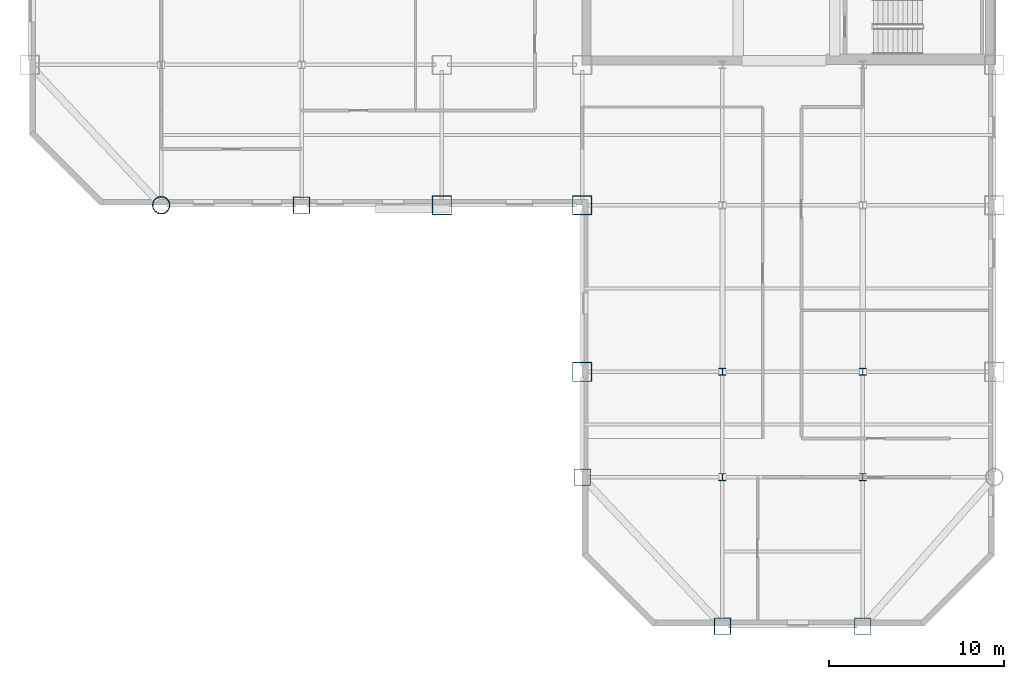
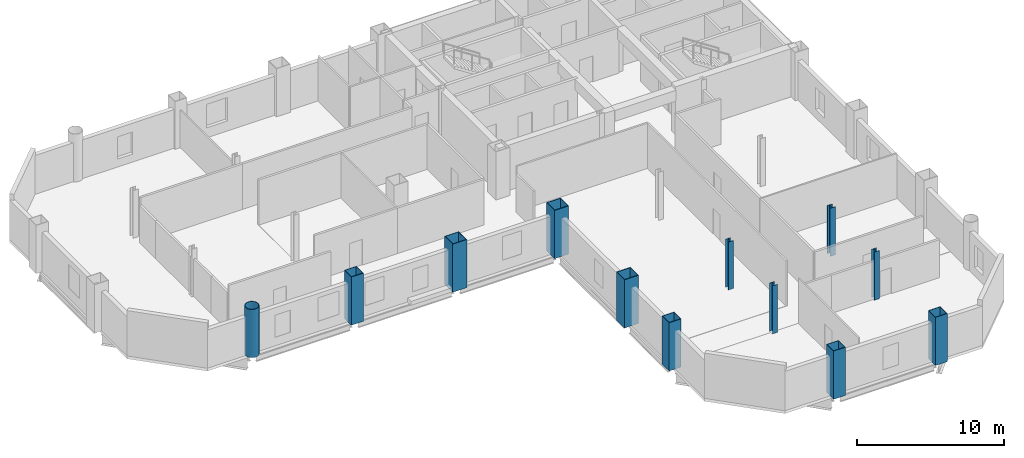
# One storey, part 1 of 9: 12 columns.
"""IFC4 building model written with IfcOpenShell, lengths in metres."""

from ifc_helpers import new_model, si_unit, direction, frame, origin, origin_2d, place, context, subcontext, project, spatial, hollow_rectangle, hollow_circle, i_section, extrude, material, material_profile, profile_set, type_object, element, save


model = new_model("IFC4")

# Units and contexts
model_context = context("Model", 3, precision=1e-05, world=origin(), true_north=direction((0.0, 1.0)))
body_context = subcontext(model_context, "Body", "Model", "MODEL_VIEW")
ifc_project = project(units=[si_unit("LENGTHUNIT", "METRE"), si_unit("AREAUNIT", "SQUARE_METRE"), si_unit("VOLUMEUNIT", "CUBIC_METRE"), si_unit("PLANEANGLEUNIT", "RADIAN"), si_unit("MASSUNIT", "GRAM", prefix="KILO")], contexts=[model_context])

# Site, building, storey
site_placement = place(None, origin())
site = spatial("IfcSite", under=ifc_project, at=site_placement, CompositionType="ELEMENT")
building_placement = place(site_placement, origin())
building = spatial("IfcBuilding", under=site, at=building_placement, Name="Qianrong Seaharbour Tower", CompositionType="ELEMENT")
storey_placement = place(building_placement, frame((0.0, 0.0, 147.0)))
storey = spatial("IfcBuildingStorey", under=building, at=storey_placement, Name="L35", CompositionType="ELEMENT", Elevation=147.0)

# Columns
ifc_material = material(Name="Structural steel SN490B", Category="steel")
ifc_material_profile_1 = material_profile(ifc_material, hollow_rectangle(XDim=1.10009765625, YDim=1.10009765625, WallThickness=0.0400390625, at=origin_2d()), Name="BOX1100x1100x40")
ifc_profile_set_1 = profile_set([ifc_material_profile_1], Name="Structural steel SN490B")
column_type_1 = type_object("IfcColumnType", Name="COL-CFT-1100", PredefinedType="COLUMN", material=ifc_profile_set_1)
for number, where, z_axis, x_axis, name in (
    (1, (32.5, 28.0, 0.0), (0.0, 0.0, 1.0), (1.0, 0.0, 0.0), "L35 Column MC-3 at G5/GE"),
    (2, (40.5, 18.5, 0.0), (0.0, 0.0, 1.0), (1.0, 0.0, 0.0), "L35 Column MC-3 at G6/GD"),
    (3, (40.5, 28.0, 0.0), (0.0, 0.0, 1.0), (1.0, 0.0, 0.0), "L35 Column MC-3 at G6/GE"),
):
    element("IfcColumn", number, at=place(storey_placement, frame(where, z_axis=z_axis, x_axis=x_axis)), inside=storey, type_object=column_type_1, Name=name, PredefinedType="COLUMN", context=body_context, shape_type="SweptSolid", body=[
        extrude(hollow_rectangle(XDim=1.10009765625, YDim=1.10009765625, WallThickness=0.0400390625, at=origin_2d()), origin(), (0.0, 0.0, 1.0), 4.0),
    ])
ifc_material_profile_2 = material_profile(ifc_material, hollow_circle(Radius=0.5, WallThickness=0.035888671875, at=origin_2d()), Name="CHS1000x36")
ifc_profile_set_2 = profile_set([ifc_material_profile_2], Name="Structural steel SN490B")
column_type_2 = type_object("IfcColumnType", Name="COL-CHS-1000", PredefinedType="COLUMN", material=ifc_profile_set_2)
column_placement = place(storey_placement, frame((16.5, 28.0, 0.0), z_axis=(0.0, 0.0, 1.0), x_axis=(1.0, 0.0, 0.0)))
element("IfcColumn", 4, at=column_placement, inside=storey, type_object=column_type_2, Name="L35 Column CC-2 at G3/GE", PredefinedType="COLUMN", context=body_context, shape_type="SweptSolid", body=[
    extrude(hollow_circle(Radius=0.5, WallThickness=0.035888671875, at=origin_2d()), origin(), (0.0, 0.0, 1.0), 4.0),
])
ifc_material_profile_3 = material_profile(ifc_material, i_section(OverallWidth=0.39990234375, OverallDepth=0.39990234375, WebThickness=0.012939453125, FlangeThickness=0.02099609375, FilletRadius=0.02197265625, at=origin_2d()), Name="H400x400x13x21")
ifc_profile_set_3 = profile_set([ifc_material_profile_3], Name="Structural steel SN490B")
column_type_3 = type_object("IfcColumnType", Name="COL-INT-H400", PredefinedType="COLUMN", material=ifc_profile_set_3)
for number, where, z_axis, x_axis, name in (
    (5, (48.5, 12.5, 0.0), (0.0, 0.0, 1.0), (1.0, 0.0, 0.0), "L35 Column IC-3 at G7/GC"),
    (6, (48.5, 18.5, 0.0), (0.0, 0.0, 1.0), (1.0, 0.0, 0.0), "L35 Column IC-3 at G7/GD"),
    (7, (56.5, 12.5, 0.0), (0.0, 0.0, 1.0), (1.0, 0.0, 0.0), "L35 Column IC-3 at G8/GC"),
    (8, (56.5, 18.5, 0.0), (0.0, 0.0, 1.0), (1.0, 0.0, 0.0), "L35 Column IC-3 at G8/GD"),
):
    element("IfcColumn", number, at=place(storey_placement, frame(where, z_axis=z_axis, x_axis=x_axis)), inside=storey, type_object=column_type_3, Name=name, PredefinedType="COLUMN", context=body_context, shape_type="SweptSolid", body=[
        extrude(i_section(OverallWidth=0.39990234375, OverallDepth=0.39990234375, WebThickness=0.012939453125, FlangeThickness=0.02099609375, FilletRadius=0.02197265625, at=origin_2d()), origin(), (0.0, 0.0, 1.0), 4.0),
    ])
ifc_material_profile_4 = material_profile(ifc_material, hollow_rectangle(XDim=0.949951171875, YDim=0.949951171875, WallThickness=0.035888671875, at=origin_2d()), Name="BOX950x950x36")
ifc_profile_set_4 = profile_set([ifc_material_profile_4], Name="Structural steel SN490B")
column_type_4 = type_object("IfcColumnType", Name="COL-PER-950", PredefinedType="COLUMN", material=ifc_profile_set_4)
for number, where, z_axis, x_axis, name in (
    (9, (24.5, 28.0, 0.0), (0.0, 0.0, 1.0), (1.0, 0.0, 0.0), "L35 Column PC-2 at G4/GE"),
    (10, (40.5, 12.5, 0.0), (0.0, 0.0, 1.0), (1.0, 0.0, 0.0), "L35 Column PC-2 at G6/GC"),
    (11, (48.5, 4.0, 0.0), (0.0, 0.0, 1.0), (1.0, 0.0, 0.0), "L35 Column PC-2 at G7/GB"),
    (12, (56.5, 4.0, 0.0), (0.0, 0.0, 1.0), (1.0, 0.0, 0.0), "L35 Column PC-2 at G8/GB"),
):
    element("IfcColumn", number, at=place(storey_placement, frame(where, z_axis=z_axis, x_axis=x_axis)), inside=storey, type_object=column_type_4, Name=name, PredefinedType="COLUMN", context=body_context, shape_type="SweptSolid", body=[
        extrude(hollow_rectangle(XDim=0.949951171875, YDim=0.949951171875, WallThickness=0.035888671875, at=origin_2d()), origin(), (0.0, 0.0, 1.0), 4.0),
    ])

save(model, "model.ifc")
